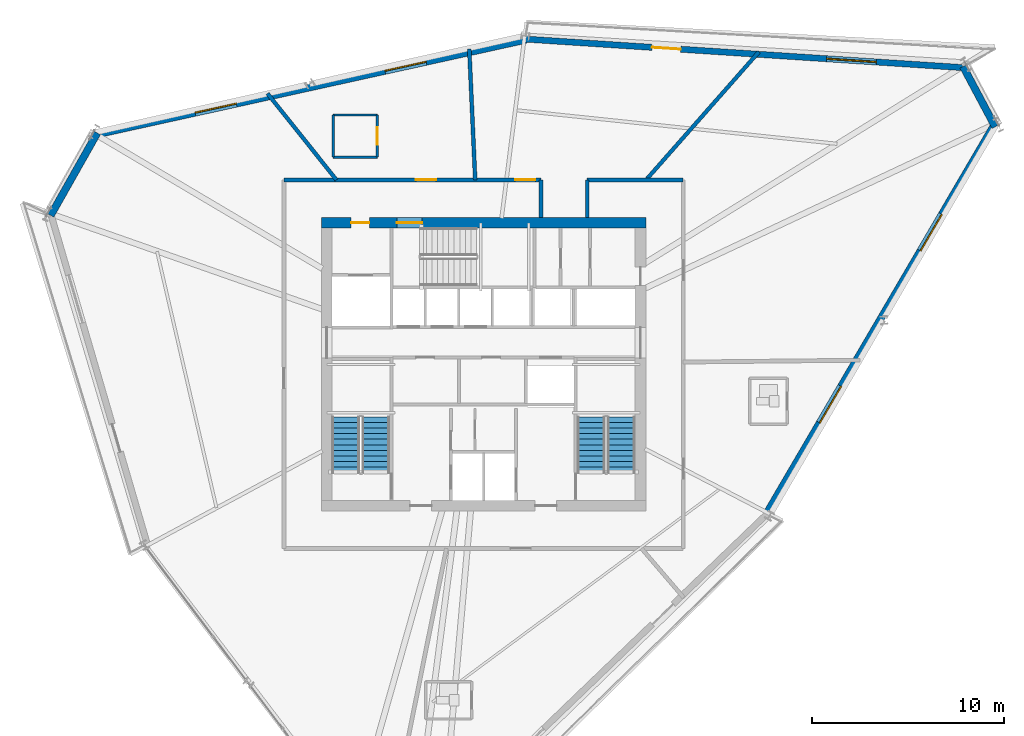
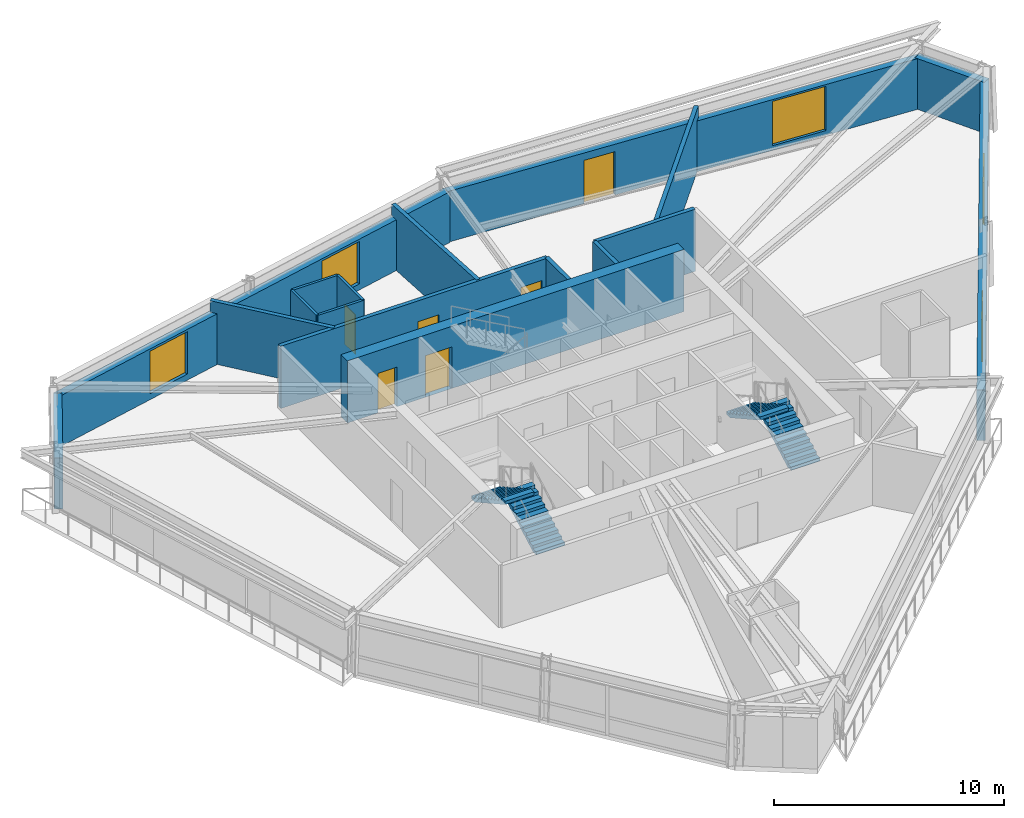
# One storey, part 10 of 15: 17 walls, 6 doors, 5 windows, 4 stair flights, 11 openings, 2 elements without a shape of their own.
"""IFC4 building model written with IfcOpenShell, lengths in metres."""

from ifc_helpers import new_model, si_unit, direction, frame, frame_2d, origin, place, context, subcontext, project, spatial, polyline, rectangle, outline, extrude, source, transform, mapped, material, layer, layer_set, type_object, type_shapes, element, fill, aggregate, save


model = new_model("IFC4")

# Units and contexts
model_context = context("Model", 3, precision=1e-05, world=origin(), true_north=direction((0.0, 1.0)))
body_context = subcontext(model_context, "Body", "Model", "MODEL_VIEW")
ifc_project = project(units=[si_unit("LENGTHUNIT", "METRE"), si_unit("AREAUNIT", "SQUARE_METRE"), si_unit("VOLUMEUNIT", "CUBIC_METRE"), si_unit("PLANEANGLEUNIT", "RADIAN"), si_unit("MASSUNIT", "GRAM", prefix="KILO")], contexts=[model_context])

# Site, building, storey
site_placement = place(None, origin())
site = spatial("IfcSite", under=ifc_project, at=site_placement, CompositionType="ELEMENT")
building_placement = place(site_placement, origin())
building = spatial("IfcBuilding", under=site, at=building_placement, Name="Olszyna Solenne Hotel", CompositionType="ELEMENT")
storey_placement = place(building_placement, frame((0.0, 0.0, 150.14990234375)))
storey = spatial("IfcBuildingStorey", under=building, at=storey_placement, Name="L39", CompositionType="ELEMENT", Elevation=150.14990234375)

# Wall, openings, doors
ifc_material_1 = material(Name="Concrete C50/60", Category="concrete")
ifc_layer_1 = layer(ifc_material_1, 0.550048828125, Name="Concrete C50/60")
ifc_layer_set_1 = layer_set([ifc_layer_1], Name="Concrete C50/60")
wall_type_1 = type_object("IfcWallType", Name="WL-CR550", PredefinedType="SHEAR", material=ifc_layer_set_1)
wall_1_placement = place(storey_placement, frame((29.550048828125, 33.97509765625, 0.0), z_axis=(0.0, 0.0, 1.0), x_axis=(1.0, 0.0, 0.0)))
wall_1 = element("IfcWall", 1, at=wall_1_placement, inside=storey, type_object=wall_type_1, Name="Core shear wall WL-CR550 CRW-L39-N", PredefinedType="SHEAR", context=body_context, shape_type="SweptSolid", body=[
    extrude(rectangle(XDim=16.89990234375, YDim=0.550048828125, at=frame_2d((8.449951171875, 0.0))), origin(), (0.0, 0.0, 1.0), 3.300048828125),
])
opening_1_placement = place(wall_1_placement, frame((1.550048828125, 0.0, 0.0)))
opening_1 = element("IfcOpeningElement", 2, at=opening_1_placement, cuts=wall_1, Name="Opening SVD-L39-01", PredefinedType="OPENING", context=body_context, shape_type="SweptSolid", body=[
    extrude(rectangle(XDim=0.949951171875, YDim=2.10009765625, at=frame_2d((0.47509765625, 1.050048828125))), frame((0.0, 0.28515625, 0.0), z_axis=(0.0, -1.0, 0.0), x_axis=(1.0, 0.0, 0.0)), (0.0, 0.0, 1.0), 0.570068359375),
])
opening_2_placement = place(wall_1_placement, frame((3.929931640625, 0.0, 0.0)))
opening_2 = element("IfcOpeningElement", 3, at=opening_2_placement, cuts=wall_1, Name="Opening STD-L39-03", PredefinedType="OPENING", context=body_context, shape_type="SweptSolid", body=[
    extrude(rectangle(XDim=1.320068359375, YDim=2.199951171875, at=frame_2d((0.66015625, 1.10009765625))), frame((0.0, 0.28515625, 0.0), z_axis=(0.0, -1.0, 0.0), x_axis=(1.0, 0.0, 0.0)), (0.0, 0.0, 1.0), 0.570068359375),
])
ifc_material_2 = material(Name="Steel S355J2", Category="steel")
door_type_1 = type_object("IfcDoorType", Name="DR-ST1", OperationType="NOTDEFINED", PredefinedType="DOOR", material=ifc_material_2)
shared_shape_1 = source(origin(), body_context, "Body", "SweptSolid", [
    extrude(rectangle(XDim=1.320068359375, YDim=2.199951171875, at=frame_2d((0.66015625, 1.10009765625))), frame((0.0, 0.02490234375, 0.0), z_axis=(0.0, -1.0, 0.0), x_axis=(1.0, 0.0, 0.0)), (0.0, 0.0, 1.0), 0.050048828125),
])
type_shapes(door_type_1, [shared_shape_1])
door_1_placement = place(opening_2_placement, origin())
door_1 = element("IfcDoor", 4, at=door_1_placement, inside=storey, type_object=door_type_1, Name="Pressurised exit stair ST3 fire door STD-L39-03", OperationType="SINGLE_SWING_RIGHT", OverallHeight=2.199951171875, OverallWidth=1.320068359375, PredefinedType="DOOR", context=body_context, shape_type="MappedRepresentation", body=[
    mapped(shared_shape_1, transform((0.0, 0.0, 0.0), x_axis=(1.0, 0.0, 0.0), y_axis=(0.0, 1.0, 0.0), z_axis=(0.0, 0.0, 1.0), scale=1.0)),
])
fill(opening_2, door_1)
door_type_2 = type_object("IfcDoorType", Name="DR-SV1", OperationType="NOTDEFINED", PredefinedType="DOOR", material=ifc_material_2)
shared_shape_2 = source(origin(), body_context, "Body", "SweptSolid", [
    extrude(rectangle(XDim=0.949951171875, YDim=2.10009765625, at=frame_2d((0.47509765625, 1.050048828125))), frame((0.0, 0.02490234375, 0.0), z_axis=(0.0, -1.0, 0.0), x_axis=(1.0, 0.0, 0.0)), (0.0, 0.0, 1.0), 0.050048828125),
])
type_shapes(door_type_2, [shared_shape_2])
door_2_placement = place(opening_1_placement, origin())
door_2 = element("IfcDoor", 5, at=door_2_placement, inside=storey, type_object=door_type_2, Name="Service lift lobby fire door SVD-L39-01", OperationType="SINGLE_SWING_LEFT", OverallHeight=2.10009765625, OverallWidth=0.949951171875, PredefinedType="DOOR", context=body_context, shape_type="MappedRepresentation", body=[
    mapped(shared_shape_2, transform((0.0, 0.0, 0.0), x_axis=(1.0, 0.0, 0.0), y_axis=(0.0, 1.0, 0.0), z_axis=(0.0, 0.0, 1.0), scale=1.0)),
])
fill(opening_1, door_2)

# Wall, openings, door, window
ifc_material_3 = material(Name="Precast concrete C45/55", Category="concrete")
ifc_layer_2 = layer(ifc_material_3, 0.320068359375, Name="Precast concrete C45/55")
ifc_layer_set_2 = layer_set([ifc_layer_2], Name="Precast concrete C45/55")
wall_type_2 = type_object("IfcWallType", Name="WL-EX320", PredefinedType="SOLIDWALL", material=ifc_layer_set_2)
wall_2_placement = place(storey_placement, frame((40.17431640625, 43.53466796875, 0.0), z_axis=(0.0, 0.0, 1.0), x_axis=(0.997880525294, -0.065072707329, 0.0)))
wall_2 = element("IfcWall", 6, at=wall_2_placement, inside=storey, type_object=wall_type_2, Name="Exterior terracotta-precast frame wall WL-EX320 EW-L39-08", PredefinedType="SOLIDWALL", context=body_context, shape_type="SweptSolid", body=[
    extrude(rectangle(XDim=23.013671875, YDim=0.320068359375, at=frame_2d((11.5068359375, 0.0))), origin(), (0.0, 0.0, 1.0), 2.692138671875),
])
opening_3_placement = place(wall_2_placement, frame((6.614013671875, 0.0, 0.0)))
opening_3 = element("IfcOpeningElement", 7, at=opening_3_placement, cuts=wall_2, Name="Opening LDG-L39-1", PredefinedType="OPENING", context=body_context, shape_type="SweptSolid", body=[
    extrude(rectangle(XDim=1.5, YDim=2.300048828125, at=frame_2d((0.75, 1.14990234375))), frame((0.0, 0.169921875, 0.0), z_axis=(0.0, -1.0, 0.0), x_axis=(1.0, 0.0, 0.0)), (0.0, 0.0, 1.0), 0.340087890625),
])
opening_4_placement = place(wall_2_placement, frame((15.72998046875, 0.0, 0.25)))
opening_4 = element("IfcOpeningElement", 8, at=opening_4_placement, cuts=wall_2, Name="Opening WN-L39-238", PredefinedType="OPENING", context=body_context, shape_type="SweptSolid", body=[
    extrude(rectangle(XDim=2.60009765625, YDim=2.35009765625, at=frame_2d((1.300048828125, 1.175048828125))), frame((0.0, 0.169921875, 0.0), z_axis=(0.0, -1.0, 0.0), x_axis=(1.0, 0.0, 0.0)), (0.0, 0.0, 1.0), 0.340087890625),
])
ifc_material_4 = material(Name="Anodised bronze aluminium", Category="aluminium")
door_type_3 = type_object("IfcDoorType", Name="DR-LG2", OperationType="DOUBLE_DOOR_SINGLE_SWING", PredefinedType="DOOR", material=ifc_material_4)
shared_shape_3 = source(origin(), body_context, "Body", "SweptSolid", [
    extrude(rectangle(XDim=1.5, YDim=2.300048828125, at=frame_2d((0.75, 1.14990234375))), frame((0.0, 0.02490234375, 0.0), z_axis=(0.0, -1.0, 0.0), x_axis=(1.0, 0.0, 0.0)), (0.0, 0.0, 1.0), 0.050048828125),
])
type_shapes(door_type_3, [shared_shape_3])
door_3_placement = place(opening_3_placement, origin())
door_3 = element("IfcDoor", 9, at=door_3_placement, inside=storey, type_object=door_type_3, Name="Exterior loggia balcony door DR-LG2 LDG-L39-1", OperationType="DOUBLE_DOOR_SINGLE_SWING", OverallHeight=2.300048828125, OverallWidth=1.5, PredefinedType="DOOR", context=body_context, shape_type="MappedRepresentation", body=[
    mapped(shared_shape_3, transform((0.0, 0.0, 0.0), x_axis=(1.0, 0.0, 0.0), y_axis=(0.0, 1.0, 0.0), z_axis=(0.0, 0.0, 1.0), scale=1.0)),
])
fill(opening_3, door_3)
ifc_material_5 = material(Name="Low-E triple glazing", Category="glass")
window_type_1 = type_object("IfcWindowType", Name="WN-ST1", PartitioningType="SINGLE_PANEL", PredefinedType="WINDOW", material=ifc_material_5)
shared_shape_4 = source(origin(), body_context, "Body", "SweptSolid", [
    extrude(rectangle(XDim=2.60009765625, YDim=2.35009765625, at=frame_2d((1.300048828125, 1.175048828125))), frame((0.0, 0.030029296875, 0.0), z_axis=(0.0, -1.0, 0.0), x_axis=(1.0, 0.0, 0.0)), (0.0, 0.0, 1.0), 0.06005859375),
])
type_shapes(window_type_1, [shared_shape_4])
window_1_placement = place(opening_4_placement, origin())
window_1 = element("IfcWindow", 10, at=window_1_placement, inside=storey, type_object=window_type_1, Name="Loggia room window WN-ST1 WN-L39-238", OverallHeight=2.35009765625, OverallWidth=2.60009765625, PartitioningType="SINGLE_PANEL", PredefinedType="WINDOW", context=body_context, shape_type="MappedRepresentation", body=[
    mapped(shared_shape_4, transform((0.0, 0.0, 0.0), x_axis=(1.0, 0.0, 0.0), y_axis=(0.0, 1.0, 0.0), z_axis=(0.0, 0.0, 1.0), scale=1.0)),
])
fill(opening_4, window_1)

# Wall
ifc_material_6 = material(Name="Terracotta cladding on precast concrete C45/55", Category="masonry")
ifc_layer_3 = layer(ifc_material_6, 0.3798828125, Name="Terracotta cladding on precast concrete C45/55")
ifc_layer_set_3 = layer_set([ifc_layer_3], Name="Terracotta cladding on precast concrete C45/55")
wall_type_3 = type_object("IfcWallType", Name="WL-EX380", PredefinedType="SOLIDWALL", material=ifc_layer_set_3)
wall_3_placement = place(storey_placement, frame((15.447998046875, 34.350830078125, 0.0), z_axis=(0.0, 0.0, 1.0), x_axis=(0.492381780001, 0.870379332661, 0.0)))
element("IfcWall", 11, at=wall_3_placement, inside=storey, type_object=wall_type_3, Name="Exterior terracotta-precast frame wall WL-EX380 EW-L39-06", PredefinedType="SOLIDWALL", context=body_context, shape_type="SweptSolid", body=[
    extrude(rectangle(XDim=4.9326171875, YDim=0.3798828125, at=frame_2d((2.46630859375, 0.0))), origin(), (0.0, 0.0, 1.0), 2.692138671875),
])

# Wall, openings, windows
wall_4_placement = place(storey_placement, frame((17.752197265625, 38.552001953125, 0.0), z_axis=(0.0, 0.0, 1.0), x_axis=(0.976529056669, 0.215385703985, 0.0)))
wall_4 = element("IfcWall", 12, at=wall_4_placement, inside=storey, type_object=wall_type_3, Name="Exterior terracotta-precast frame wall WL-EX380 EW-L39-07", PredefinedType="SOLIDWALL", context=body_context, shape_type="SweptSolid", body=[
    extrude(rectangle(XDim=23.013427734375, YDim=0.3798828125, at=frame_2d((11.5068359375, 0.0))), origin(), (0.0, 0.0, 1.0), 2.692138671875),
])
opening_5_placement = place(wall_4_placement, frame((5.343994140625, 0.0, 0.322021484375)))
opening_5 = element("IfcOpeningElement", 13, at=opening_5_placement, cuts=wall_4, Name="Opening WN-L39-236", PredefinedType="OPENING", context=body_context, shape_type="SweptSolid", body=[
    extrude(rectangle(XDim=2.199951171875, YDim=2.25, at=frame_2d((1.10009765625, 1.125))), frame((0.0, 0.199951171875, 0.0), z_axis=(0.0, -1.0, 0.0), x_axis=(1.0, 0.0, 0.0)), (0.0, 0.0, 1.0), 0.39990234375),
])
opening_6_placement = place(wall_4_placement, frame((15.469970703125, 0.0, 0.322021484375)))
opening_6 = element("IfcOpeningElement", 14, at=opening_6_placement, cuts=wall_4, Name="Opening WN-L39-237", PredefinedType="OPENING", context=body_context, shape_type="SweptSolid", body=[
    extrude(rectangle(XDim=2.199951171875, YDim=2.25, at=frame_2d((1.10009765625, 1.125))), frame((0.0, 0.199951171875, 0.0), z_axis=(0.0, -1.0, 0.0), x_axis=(1.0, 0.0, 0.0)), (0.0, 0.0, 1.0), 0.39990234375),
])
window_type_2 = type_object("IfcWindowType", Name="WN-HT2", PartitioningType="SINGLE_PANEL", PredefinedType="WINDOW", material=ifc_material_5)
shared_shape_5 = source(origin(), body_context, "Body", "SweptSolid", [
    extrude(rectangle(XDim=2.199951171875, YDim=2.25, at=frame_2d((1.10009765625, 1.125))), frame((0.0, 0.030029296875, 0.0), z_axis=(0.0, -1.0, 0.0), x_axis=(1.0, 0.0, 0.0)), (0.0, 0.0, 1.0), 0.06005859375),
])
type_shapes(window_type_2, [shared_shape_5])
window_2_placement = place(opening_5_placement, origin())
window_2 = element("IfcWindow", 15, at=window_2_placement, inside=storey, type_object=window_type_2, Name="Exterior facade window WN-HT2 WN-L39-236", OverallHeight=2.25, OverallWidth=2.199951171875, PartitioningType="SINGLE_PANEL", PredefinedType="WINDOW", context=body_context, shape_type="MappedRepresentation", body=[
    mapped(shared_shape_5, transform((0.0, 0.0, 0.0), x_axis=(1.0, 0.0, 0.0), y_axis=(0.0, 1.0, 0.0), z_axis=(0.0, 0.0, 1.0), scale=1.0)),
])
fill(opening_5, window_2)
window_3_placement = place(opening_6_placement, origin())
window_3 = element("IfcWindow", 16, at=window_3_placement, inside=storey, type_object=window_type_2, Name="Exterior facade window WN-HT2 WN-L39-237", OverallHeight=2.25, OverallWidth=2.199951171875, PartitioningType="SINGLE_PANEL", PredefinedType="WINDOW", context=body_context, shape_type="MappedRepresentation", body=[
    mapped(shared_shape_5, transform((0.0, 0.0, 0.0), x_axis=(1.0, 0.0, 0.0), y_axis=(0.0, 1.0, 0.0), z_axis=(0.0, 0.0, 1.0), scale=1.0)),
])
fill(opening_6, window_3)

# Wall
wall_5_placement = place(storey_placement, frame((62.981689453125, 42.107421875, 0.0), z_axis=(0.0, 0.0, 1.0), x_axis=(0.47030337752, -0.882504806272, 0.0)))
element("IfcWall", 17, at=wall_5_placement, inside=storey, type_object=wall_type_3, Name="Exterior terracotta-precast frame wall WL-EX380 EW-L39-09", PredefinedType="SOLIDWALL", context=body_context, shape_type="SweptSolid", body=[
    extrude(rectangle(XDim=3.55908203125, YDim=0.3798828125, at=frame_2d((1.779541015625, 0.0))), origin(), (0.0, 0.0, 1.0), 2.692138671875),
])

# Wall, openings, windows
wall_6_placement = place(storey_placement, frame((64.6591796875, 39.152099609375, 0.0), z_axis=(0.0, 0.0, 1.0), x_axis=(-0.505535489227, -0.862805811949, 0.0)))
wall_6 = element("IfcWall", 18, at=wall_6_placement, inside=storey, type_object=wall_type_3, Name="Exterior terracotta-precast frame wall WL-EX380 EW-L39-10", PredefinedType="SOLIDWALL", context=body_context, shape_type="SweptSolid", body=[
    extrude(rectangle(XDim=23.59814453125, YDim=0.3798828125, at=frame_2d((11.799072265625, 0.0))), origin(), (0.0, 0.0, 1.0), 2.692138671875),
])
opening_7_placement = place(wall_6_placement, frame((5.507080078125, 0.0, 0.322021484375)))
opening_7 = element("IfcOpeningElement", 19, at=opening_7_placement, cuts=wall_6, Name="Opening WN-L39-239", PredefinedType="OPENING", context=body_context, shape_type="SweptSolid", body=[
    extrude(rectangle(XDim=2.199951171875, YDim=2.25, at=frame_2d((1.10009765625, 1.125))), frame((0.0, 0.199951171875, 0.0), z_axis=(0.0, -1.0, 0.0), x_axis=(1.0, 0.0, 0.0)), (0.0, 0.0, 1.0), 0.39990234375),
])
opening_8_placement = place(wall_6_placement, frame((15.89111328125, 0.0, 0.322021484375)))
opening_8 = element("IfcOpeningElement", 20, at=opening_8_placement, cuts=wall_6, Name="Opening WN-L39-240", PredefinedType="OPENING", context=body_context, shape_type="SweptSolid", body=[
    extrude(rectangle(XDim=2.199951171875, YDim=2.25, at=frame_2d((1.10009765625, 1.125))), frame((0.0, 0.199951171875, 0.0), z_axis=(0.0, -1.0, 0.0), x_axis=(1.0, 0.0, 0.0)), (0.0, 0.0, 1.0), 0.39990234375),
])
window_4_placement = place(opening_7_placement, origin())
window_4 = element("IfcWindow", 21, at=window_4_placement, inside=storey, type_object=window_type_2, Name="Exterior facade window WN-HT2 WN-L39-239", OverallHeight=2.25, OverallWidth=2.199951171875, PartitioningType="SINGLE_PANEL", PredefinedType="WINDOW", context=body_context, shape_type="MappedRepresentation", body=[
    mapped(shared_shape_5, transform((0.0, 0.0, 0.0), x_axis=(1.0, 0.0, 0.0), y_axis=(0.0, 1.0, 0.0), z_axis=(0.0, 0.0, 1.0), scale=1.0)),
])
fill(opening_7, window_4)
window_5_placement = place(opening_8_placement, origin())
window_5 = element("IfcWindow", 22, at=window_5_placement, inside=storey, type_object=window_type_2, Name="Exterior facade window WN-HT2 WN-L39-240", OverallHeight=2.25, OverallWidth=2.199951171875, PartitioningType="SINGLE_PANEL", PredefinedType="WINDOW", context=body_context, shape_type="MappedRepresentation", body=[
    mapped(shared_shape_5, transform((0.0, 0.0, 0.0), x_axis=(1.0, 0.0, 0.0), y_axis=(0.0, 1.0, 0.0), z_axis=(0.0, 0.0, 1.0), scale=1.0)),
])
fill(opening_8, window_5)

# Wall, opening, door
ifc_material_7 = material(Name="Acoustic gypsum partition", Category="gypsum")
ifc_layer_4 = layer(ifc_material_7, 0.125, Name="Acoustic gypsum partition")
ifc_layer_set_4 = layer_set([ifc_layer_4], Name="Acoustic gypsum partition")
wall_type_4 = type_object("IfcWallType", Name="WL-PT125", PredefinedType="PARTITIONING", material=ifc_layer_set_4)
wall_7_placement = place(storey_placement, frame((32.467041015625, 37.3798828125, 0.0), z_axis=(0.0, 0.0, 1.0), x_axis=(0.0, 1.0, 0.0)))
wall_7 = element("IfcWall", 23, at=wall_7_placement, inside=storey, type_object=wall_type_4, Name="Interior acoustic partition WL-PT125 PW-L39-2223", PredefinedType="PARTITIONING", context=body_context, shape_type="SweptSolid", body=[
    extrude(rectangle(XDim=2.2001953125, YDim=0.125, at=frame_2d((1.10009765625, 0.0))), origin(), (0.0, 0.0, 1.0), 3.300048828125),
])
opening_9_placement = place(wall_7_placement, frame((0.64990234375, 0.0, 0.0)))
opening_9 = element("IfcOpeningElement", 24, at=opening_9_placement, cuts=wall_7, Name="Opening DR-L39-0539", PredefinedType="OPENING", context=body_context, shape_type="SweptSolid", body=[
    extrude(rectangle(XDim=0.89990234375, YDim=2.10009765625, at=frame_2d((0.449951171875, 1.050048828125))), frame((0.0, 0.072509765625, 0.0), z_axis=(0.0, -1.0, 0.0), x_axis=(1.0, 0.0, 0.0)), (0.0, 0.0, 1.0), 0.14501953125),
])
ifc_material_8 = material(Name="Timber hardwood", Category="wood")
door_type_4 = type_object("IfcDoorType", Name="DR-WC1", OperationType="NOTDEFINED", PredefinedType="DOOR", material=ifc_material_8)
shared_shape_6 = source(origin(), body_context, "Body", "SweptSolid", [
    extrude(rectangle(XDim=0.89990234375, YDim=2.10009765625, at=frame_2d((0.449951171875, 1.050048828125))), frame((0.0, 0.02490234375, 0.0), z_axis=(0.0, -1.0, 0.0), x_axis=(1.0, 0.0, 0.0)), (0.0, 0.0, 1.0), 0.050048828125),
])
type_shapes(door_type_4, [shared_shape_6])
door_4_placement = place(opening_9_placement, origin())
door_4 = element("IfcDoor", 25, at=door_4_placement, inside=storey, type_object=door_type_4, Name="En-Suite Bathroom Door DR-L39-0539", OperationType="SINGLE_SWING_RIGHT", OverallHeight=2.10009765625, OverallWidth=0.89990234375, PredefinedType="DOOR", context=body_context, shape_type="MappedRepresentation", body=[
    mapped(shared_shape_6, transform((0.0, 0.0, 0.0), x_axis=(1.0, 0.0, 0.0), y_axis=(0.0, 1.0, 0.0), z_axis=(0.0, 0.0, 1.0), scale=1.0)),
])
fill(opening_9, door_4)

# Walls
wall_8_placement = place(storey_placement, frame((32.467041015625, 39.580078125, 0.0), z_axis=(0.0, 0.0, 1.0), x_axis=(-1.0, 0.0, 0.0)))
element("IfcWall", 26, at=wall_8_placement, inside=storey, type_object=wall_type_4, Name="Interior acoustic partition WL-PT125 PW-L39-2224", PredefinedType="PARTITIONING", context=body_context, shape_type="SweptSolid", body=[
    extrude(rectangle(XDim=2.300048828125, YDim=0.125, at=frame_2d((1.14990234375, 0.0))), origin(), (0.0, 0.0, 1.0), 3.300048828125),
])
wall_9_placement = place(storey_placement, frame((30.1669921875, 39.580078125, 0.0), z_axis=(0.0, 0.0, 1.0), x_axis=(0.0, -1.0, 0.0)))
element("IfcWall", 27, at=wall_9_placement, inside=storey, type_object=wall_type_4, Name="Interior acoustic partition WL-PT125 PW-L39-2225", PredefinedType="PARTITIONING", context=body_context, shape_type="SweptSolid", body=[
    extrude(rectangle(XDim=2.2001953125, YDim=0.125, at=frame_2d((1.10009765625, 0.0))), origin(), (0.0, 0.0, 1.0), 3.300048828125),
])
wall_10_placement = place(storey_placement, frame((30.1669921875, 37.3798828125, 0.0), z_axis=(0.0, 0.0, 1.0), x_axis=(1.0, 0.0, 0.0)))
element("IfcWall", 28, at=wall_10_placement, inside=storey, type_object=wall_type_4, Name="Interior acoustic partition WL-PT125 PW-L39-2226", PredefinedType="PARTITIONING", context=body_context, shape_type="SweptSolid", body=[
    extrude(rectangle(XDim=2.300048828125, YDim=0.125, at=frame_2d((1.14990234375, 0.0))), origin(), (0.0, 0.0, 1.0), 3.300048828125),
])
ifc_layer_5 = layer(ifc_material_7, 0.199951171875, Name="Acoustic gypsum partition")
ifc_layer_set_5 = layer_set([ifc_layer_5], Name="Acoustic gypsum partition")
wall_type_5 = type_object("IfcWallType", Name="WL-PT200", PredefinedType="PARTITIONING", material=ifc_layer_set_5)
wall_11_placement = place(storey_placement, frame((30.33642578125, 36.199951171875, 0.0), z_axis=(0.0, 0.0, 1.0), x_axis=(-0.623887951787, 0.781513802575, 0.0)))
element("IfcWall", 29, at=wall_11_placement, inside=storey, type_object=wall_type_5, Name="Interior acoustic partition WL-PT200 PW-L39-2209", PredefinedType="PARTITIONING", context=body_context, shape_type="SweptSolid", body=[
    extrude(rectangle(XDim=5.757080078125, YDim=0.199951171875, at=frame_2d((2.87841796875, 0.0))), origin(), (0.0, 0.0, 1.0), 3.300048828125),
])
wall_12_placement = place(storey_placement, frame((46.46337890625, 36.199951171875, 0.0), z_axis=(0.0, 0.0, 1.0), x_axis=(0.661325616774, 0.750098945872, 0.0)))
element("IfcWall", 30, at=wall_12_placement, inside=storey, type_object=wall_type_5, Name="Interior acoustic partition WL-PT200 PW-L39-2213", PredefinedType="PARTITIONING", context=body_context, shape_type="SweptSolid", body=[
    extrude(rectangle(XDim=8.89404296875, YDim=0.199951171875, at=frame_2d((4.447021484375, 0.0))), origin(), (0.0, 0.0, 1.0), 3.300048828125),
])
wall_13_placement = place(storey_placement, frame((37.564208984375, 36.199951171875, 0.0), z_axis=(0.0, 0.0, 1.0), x_axis=(-0.045397924334, 0.998968982735, 0.0)))
element("IfcWall", 31, at=wall_13_placement, inside=storey, type_object=wall_type_5, Name="Interior acoustic partition WL-PT200 PW-L39-2214", PredefinedType="PARTITIONING", context=body_context, shape_type="SweptSolid", body=[
    extrude(rectangle(XDim=6.824462890625, YDim=0.199951171875, at=frame_2d((3.412109375, 0.0))), origin(), (0.0, 0.0, 1.0), 3.300048828125),
])

# Wall, openings, doors
wall_14_placement = place(storey_placement, frame((27.60009765625, 36.199951171875, 0.0), z_axis=(0.0, 0.0, 1.0), x_axis=(1.0, 0.0, 0.0)))
wall_14 = element("IfcWall", 32, at=wall_14_placement, inside=storey, type_object=wall_type_5, Name="Interior acoustic partition WL-PT200 PW-L39-2229", PredefinedType="PARTITIONING", context=body_context, shape_type="SweptSolid", body=[
    extrude(rectangle(XDim=13.39990234375, YDim=0.199951171875, at=frame_2d((6.699951171875, 0.0))), origin(), (0.0, 0.0, 1.0), 3.300048828125),
])
opening_10_placement = place(wall_14_placement, frame((12.050048828125, 0.0, 0.0)))
opening_10 = element("IfcOpeningElement", 33, at=opening_10_placement, cuts=wall_14, Name="Opening DR-L39-0542", PredefinedType="OPENING", context=body_context, shape_type="SweptSolid", body=[
    extrude(rectangle(XDim=1.050048828125, YDim=2.199951171875, at=frame_2d((0.52490234375, 1.10009765625))), frame((0.0, 0.10986328125, 0.0), z_axis=(0.0, -1.0, 0.0), x_axis=(1.0, 0.0, 0.0)), (0.0, 0.0, 1.0), 0.219970703125),
])
opening_11_placement = place(wall_14_placement, frame((6.87890625, 0.0, 0.0)))
opening_11 = element("IfcOpeningElement", 34, at=opening_11_placement, cuts=wall_14, Name="Opening DR-L39-0543", PredefinedType="OPENING", context=body_context, shape_type="SweptSolid", body=[
    extrude(rectangle(XDim=1.050048828125, YDim=2.199951171875, at=frame_2d((0.52490234375, 1.10009765625))), frame((0.0, 0.10986328125, 0.0), z_axis=(0.0, -1.0, 0.0), x_axis=(1.0, 0.0, 0.0)), (0.0, 0.0, 1.0), 0.219970703125),
])
door_type_5 = type_object("IfcDoorType", Name="DR-RM2", OperationType="NOTDEFINED", PredefinedType="DOOR", material=ifc_material_8)
shared_shape_7 = source(origin(), body_context, "Body", "SweptSolid", [
    extrude(rectangle(XDim=1.050048828125, YDim=2.199951171875, at=frame_2d((0.52490234375, 1.10009765625))), frame((0.0, 0.02490234375, 0.0), z_axis=(0.0, -1.0, 0.0), x_axis=(1.0, 0.0, 0.0)), (0.0, 0.0, 1.0), 0.050048828125),
])
type_shapes(door_type_5, [shared_shape_7])
door_5_placement = place(opening_10_placement, origin())
door_5 = element("IfcDoor", 35, at=door_5_placement, inside=storey, type_object=door_type_5, Name="Boutique Art Gallery Entrance Door DR-L39-0542", OperationType="SINGLE_SWING_RIGHT", OverallHeight=2.199951171875, OverallWidth=1.050048828125, PredefinedType="DOOR", context=body_context, shape_type="MappedRepresentation", body=[
    mapped(shared_shape_7, transform((0.0, 0.0, 0.0), x_axis=(1.0, 0.0, 0.0), y_axis=(0.0, 1.0, 0.0), z_axis=(0.0, 0.0, 1.0), scale=1.0)),
])
fill(opening_10, door_5)
door_6_placement = place(opening_11_placement, origin())
door_6 = element("IfcDoor", 36, at=door_6_placement, inside=storey, type_object=door_type_5, Name="Executive Reading Salon Entrance Door DR-L39-0543", OperationType="SINGLE_SWING_LEFT", OverallHeight=2.199951171875, OverallWidth=1.050048828125, PredefinedType="DOOR", context=body_context, shape_type="MappedRepresentation", body=[
    mapped(shared_shape_7, transform((0.0, 0.0, 0.0), x_axis=(1.0, 0.0, 0.0), y_axis=(0.0, 1.0, 0.0), z_axis=(0.0, 0.0, 1.0), scale=1.0)),
])
fill(opening_11, door_6)

# Walls
wall_15_placement = place(storey_placement, frame((41.0, 34.25, 0.0), z_axis=(0.0, 0.0, 1.0), x_axis=(0.0, 1.0, 0.0)))
element("IfcWall", 37, at=wall_15_placement, inside=storey, type_object=wall_type_5, Name="Interior acoustic partition WL-PT200 PW-L39-2230", PredefinedType="PARTITIONING", context=body_context, shape_type="SweptSolid", body=[
    extrude(rectangle(XDim=1.949951171875, YDim=0.199951171875, at=frame_2d((0.97509765625, 0.0))), origin(), (0.0, 0.0, 1.0), 3.300048828125),
])
wall_16_placement = place(storey_placement, frame((43.39990234375, 36.199951171875, 0.0), z_axis=(0.0, 0.0, 1.0), x_axis=(1.0, 0.0, 0.0)))
element("IfcWall", 38, at=wall_16_placement, inside=storey, type_object=wall_type_5, Name="Interior acoustic partition WL-PT200 PW-L39-2231", PredefinedType="PARTITIONING", context=body_context, shape_type="SweptSolid", body=[
    extrude(rectangle(XDim=5.0, YDim=0.199951171875, at=frame_2d((2.5, 0.0))), origin(), (0.0, 0.0, 1.0), 3.300048828125),
])
wall_17_placement = place(storey_placement, frame((43.39990234375, 34.25, 0.0), z_axis=(0.0, 0.0, 1.0), x_axis=(0.0, 1.0, 0.0)))
element("IfcWall", 39, at=wall_17_placement, inside=storey, type_object=wall_type_5, Name="Interior acoustic partition WL-PT200 PW-L39-2232", PredefinedType="PARTITIONING", context=body_context, shape_type="SweptSolid", body=[
    extrude(rectangle(XDim=1.949951171875, YDim=0.199951171875, at=frame_2d((0.97509765625, 0.0))), origin(), (0.0, 0.0, 1.0), 3.300048828125),
])

# Stair, stair flights
ifc_material_9 = material(Name="Concrete C40/50", Category="concrete")
stair_type = type_object("IfcStairType", Name="STR-C1", PredefinedType="TWO_QUARTER_WINDING_STAIR", material=ifc_material_9)
stair_1_placement = place(storey_placement, origin())
stair_1 = element("IfcStair", 40, at=stair_1_placement, inside=storey, type_object=stair_type, Name="L39 ST1", PredefinedType="TWO_QUARTER_WINDING_STAIR")
stair_flight_type = type_object("IfcStairFlightType", Name="FLT-C1", PredefinedType="STRAIGHT", material=ifc_material_9)
stair_flight_1_placement = place(storey_placement, frame((32.39501953125, 20.949951171875, 0.0), z_axis=(0.0, 0.0, 1.0), x_axis=(0.0, 1.0, 0.0)))
stair_flight_1 = element("IfcStairFlight", 41, at=stair_flight_1_placement, type_object=stair_flight_type, Name="ST1 flight 1", NumberOfRisers=11, NumberOfTreads=10, PredefinedType="STRAIGHT", RiserHeight=0.161363636, TreadLength=0.29, context=body_context, shape_type="SweptSolid", body=[
    extrude(outline(polyline([(0.0, 0.0), (0.0, 0.161376953125), (0.2900390625, 0.161376953125), (0.2900390625, 0.32275390625), (0.580078125, 0.32275390625), (0.580078125, 0.484130859375), (0.8701171875, 0.484130859375), (0.8701171875, 0.6455078125), (1.159912109375, 0.6455078125), (1.159912109375, 0.806884765625), (1.449951171875, 0.806884765625), (1.449951171875, 0.96826171875), (1.739990234375, 0.96826171875), (1.739990234375, 1.129638671875), (2.030029296875, 1.129638671875), (2.030029296875, 1.291015625), (2.320068359375, 1.291015625), (2.320068359375, 1.452392578125), (2.610107421875, 1.452392578125), (2.610107421875, 1.613525390625), (2.89990234375, 1.613525390625), (2.89990234375, 1.77490234375), (2.89990234375, 1.442138671875), (0.308349609375, 0.0), (0.0, 0.0)])), frame((0.0, 0.72509765625, 0.0), z_axis=(0.0, -1.0, 0.0), x_axis=(1.0, 0.0, 0.0)), (0.0, 0.0, 1.0), 1.449951171875),
])
stair_flight_2_placement = place(storey_placement, frame((30.824951171875, 23.85009765625, 1.775146484375), z_axis=(0.0, 0.0, 1.0), x_axis=(0.0, -1.0, 0.0)))
stair_flight_2 = element("IfcStairFlight", 42, at=stair_flight_2_placement, type_object=stair_flight_type, Name="ST1 flight 2", NumberOfRisers=11, NumberOfTreads=10, PredefinedType="STRAIGHT", RiserHeight=0.161363636, TreadLength=0.29, context=body_context, shape_type="SweptSolid", body=[
    extrude(outline(polyline([(0.0, 0.0), (0.0, 0.161376953125), (0.2900390625, 0.161376953125), (0.2900390625, 0.32275390625), (0.580078125, 0.32275390625), (0.580078125, 0.484130859375), (0.8701171875, 0.484130859375), (0.8701171875, 0.6455078125), (1.159912109375, 0.6455078125), (1.159912109375, 0.806884765625), (1.449951171875, 0.806884765625), (1.449951171875, 0.96826171875), (1.739990234375, 0.96826171875), (1.739990234375, 1.129638671875), (2.030029296875, 1.129638671875), (2.030029296875, 1.291015625), (2.320068359375, 1.291015625), (2.320068359375, 1.452392578125), (2.610107421875, 1.452392578125), (2.610107421875, 1.613525390625), (2.89990234375, 1.613525390625), (2.89990234375, 1.77490234375), (2.89990234375, 1.442138671875), (0.308349609375, 0.0), (0.0, 0.0)])), frame((0.0, 0.72509765625, 0.0), z_axis=(0.0, -1.0, 0.0), x_axis=(1.0, 0.0, 0.0)), (0.0, 0.0, 1.0), 1.449951171875),
])
aggregate(stair_1, [stair_flight_1, stair_flight_2])

stair_2_placement = place(storey_placement, origin())
stair_2 = element("IfcStair", 43, at=stair_2_placement, inside=storey, type_object=stair_type, Name="L39 ST2", PredefinedType="TWO_QUARTER_WINDING_STAIR")
stair_flight_3_placement = place(storey_placement, frame((45.175048828125, 20.949951171875, 0.0), z_axis=(0.0, 0.0, 1.0), x_axis=(0.0, 1.0, 0.0)))
stair_flight_3 = element("IfcStairFlight", 44, at=stair_flight_3_placement, type_object=stair_flight_type, Name="ST2 flight 1", NumberOfRisers=11, NumberOfTreads=10, PredefinedType="STRAIGHT", RiserHeight=0.161363636, TreadLength=0.29, context=body_context, shape_type="SweptSolid", body=[
    extrude(outline(polyline([(0.0, 0.0), (0.0, 0.161376953125), (0.2900390625, 0.161376953125), (0.2900390625, 0.32275390625), (0.580078125, 0.32275390625), (0.580078125, 0.484130859375), (0.8701171875, 0.484130859375), (0.8701171875, 0.6455078125), (1.159912109375, 0.6455078125), (1.159912109375, 0.806884765625), (1.449951171875, 0.806884765625), (1.449951171875, 0.96826171875), (1.739990234375, 0.96826171875), (1.739990234375, 1.129638671875), (2.030029296875, 1.129638671875), (2.030029296875, 1.291015625), (2.320068359375, 1.291015625), (2.320068359375, 1.452392578125), (2.610107421875, 1.452392578125), (2.610107421875, 1.613525390625), (2.89990234375, 1.613525390625), (2.89990234375, 1.77490234375), (2.89990234375, 1.442138671875), (0.308349609375, 0.0), (0.0, 0.0)])), frame((0.0, 0.72509765625, 0.0), z_axis=(0.0, -1.0, 0.0), x_axis=(1.0, 0.0, 0.0)), (0.0, 0.0, 1.0), 1.449951171875),
])
stair_flight_4_placement = place(storey_placement, frame((43.60498046875, 23.85009765625, 1.775146484375), z_axis=(0.0, 0.0, 1.0), x_axis=(0.0, -1.0, 0.0)))
stair_flight_4 = element("IfcStairFlight", 45, at=stair_flight_4_placement, type_object=stair_flight_type, Name="ST2 flight 2", NumberOfRisers=11, NumberOfTreads=10, PredefinedType="STRAIGHT", RiserHeight=0.161363636, TreadLength=0.29, context=body_context, shape_type="SweptSolid", body=[
    extrude(outline(polyline([(0.0, 0.0), (0.0, 0.161376953125), (0.2900390625, 0.161376953125), (0.2900390625, 0.32275390625), (0.580078125, 0.32275390625), (0.580078125, 0.484130859375), (0.8701171875, 0.484130859375), (0.8701171875, 0.6455078125), (1.159912109375, 0.6455078125), (1.159912109375, 0.806884765625), (1.449951171875, 0.806884765625), (1.449951171875, 0.96826171875), (1.739990234375, 0.96826171875), (1.739990234375, 1.129638671875), (2.030029296875, 1.129638671875), (2.030029296875, 1.291015625), (2.320068359375, 1.291015625), (2.320068359375, 1.452392578125), (2.610107421875, 1.452392578125), (2.610107421875, 1.613525390625), (2.89990234375, 1.613525390625), (2.89990234375, 1.77490234375), (2.89990234375, 1.442138671875), (0.308349609375, 0.0), (0.0, 0.0)])), frame((0.0, 0.72509765625, 0.0), z_axis=(0.0, -1.0, 0.0), x_axis=(1.0, 0.0, 0.0)), (0.0, 0.0, 1.0), 1.449951171875),
])
aggregate(stair_2, [stair_flight_3, stair_flight_4])

save(model, "model.ifc")
